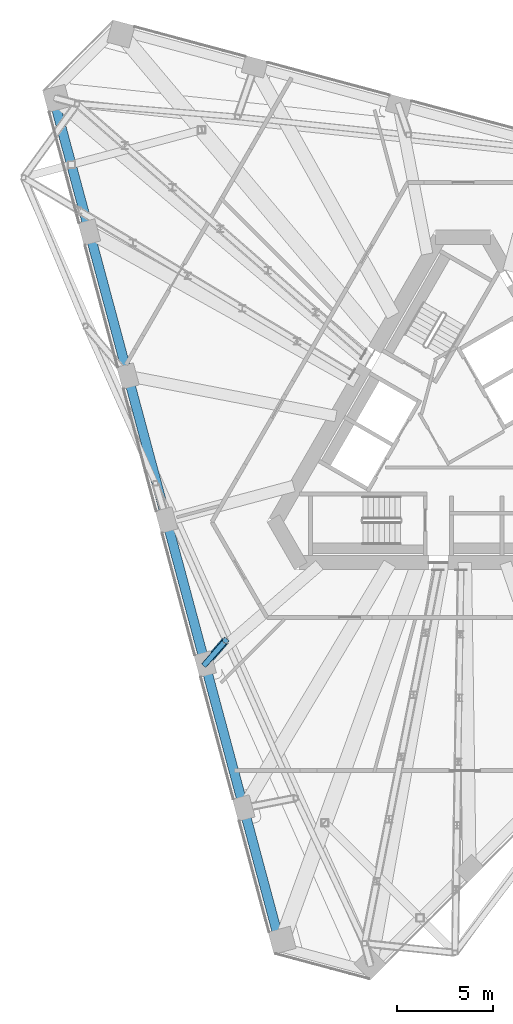
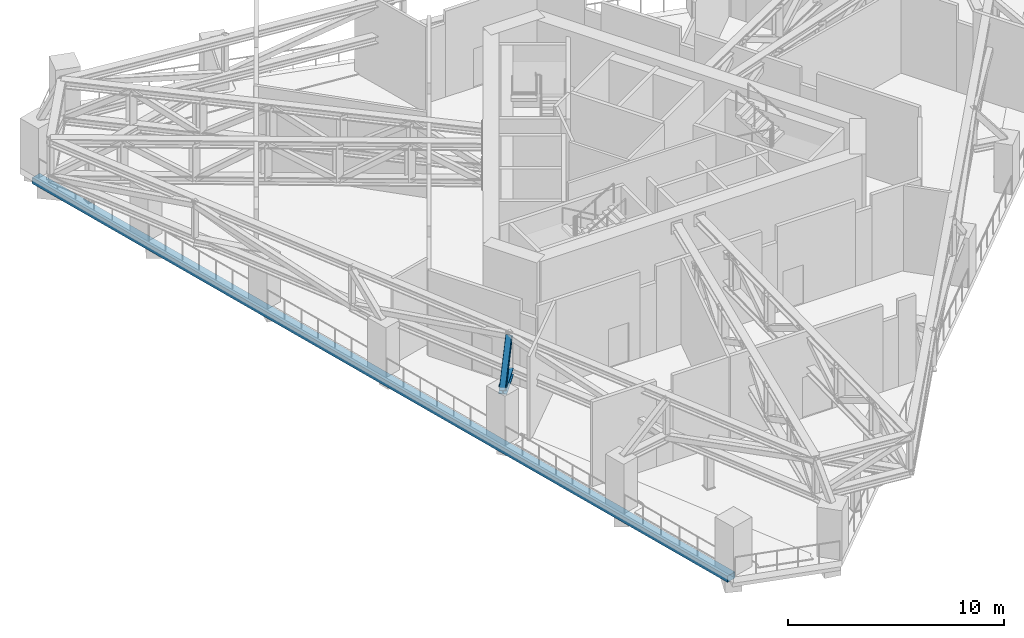
# One storey, part 3 of 22: 2 members, 1 beam.
"""IFC4 building model written with IfcOpenShell, lengths in metres."""

from ifc_helpers import new_model, si_unit, direction, frame, origin, origin_2d, place, context, subcontext, project, spatial, rectangle, hollow_rectangle, i_section, extrude, material, material_profile, profile_set, type_object, element, save


model = new_model("IFC4")

# Units and contexts
model_context = context("Model", 3, precision=1e-05, world=origin(), true_north=direction((0.0, 1.0)))
body_context = subcontext(model_context, "Body", "Model", "MODEL_VIEW")
ifc_project = project(units=[si_unit("LENGTHUNIT", "METRE"), si_unit("AREAUNIT", "SQUARE_METRE"), si_unit("VOLUMEUNIT", "CUBIC_METRE"), si_unit("PLANEANGLEUNIT", "RADIAN"), si_unit("MASSUNIT", "GRAM", prefix="KILO")], contexts=[model_context])

# Site, building, storey
site_placement = place(None, origin())
site = spatial("IfcSite", under=ifc_project, at=site_placement, CompositionType="ELEMENT")
building_placement = place(site_placement, origin())
building = spatial("IfcBuilding", under=site, at=building_placement, Name="Tramontana Tower", CompositionType="ELEMENT")
storey_placement = place(building_placement, frame((0.0, 0.0, 232.0)))
storey = spatial("IfcBuildingStorey", under=building, at=storey_placement, Name="L54", CompositionType="ELEMENT", Elevation=232.0)

# Beam
ifc_material_1 = material(Name="Concrete 40 MPa", Category="concrete")
ifc_material_profile_1 = material_profile(ifc_material_1, rectangle(XDim=0.5, YDim=0.35009765625, at=origin_2d()), Name="RC EDGE BEAM 500X350 40 MPa")
ifc_profile_set_1 = profile_set([ifc_material_profile_1], Name="Concrete 40 MPa")
beam_type = type_object("IfcBeamType", Name="RC EDGE BEAM 500X350 40 MPa", PredefinedType="SPANDREL", material=ifc_profile_set_1)
beam_placement = place(storey_placement, frame((-21.399658203125, 17.852294921875, -0.52490234375), z_axis=(0.25882000186, -0.965925569926, 0.0), x_axis=(0.965925569926, 0.25882000186, 0.0)))
element("IfcBeam", 1, at=beam_placement, inside=storey, type_object=beam_type, Name="Spandrel beam S0 L54", PredefinedType="SPANDREL", context=body_context, shape_type="SweptSolid", body=[
    extrude(rectangle(XDim=0.5, YDim=0.35009765625, at=origin_2d()), origin(), (0.0, 0.0, 1.0), 45.565185546875),
])

# Members
ifc_material_2 = material(Name="Steel ASTM A500 Grade C", Category="steel")
ifc_material_profile_2 = material_profile(ifc_material_2, hollow_rectangle(XDim=0.3046875, YDim=0.3046875, WallThickness=0.01171875, InnerFilletRadius=0.01171875, OuterFilletRadius=0.023681640625, at=origin_2d()), Name="HSS12X12X1/2")
ifc_profile_set_2 = profile_set([ifc_material_profile_2], Name="Steel ASTM A500 Grade C")
member_type_1 = type_object("IfcMemberType", Name="Transfer truss HSS12X12X1/2 brace", PredefinedType="BRACE", material=ifc_profile_set_2)
member_1_placement = place(storey_placement, frame((-13.48583984375, -11.6826171875, 2.603271484375), z_axis=(0.408563341047, 0.468907594533, 0.783071940591), x_axis=(-0.753954205931, 0.656926978711, 0.0)))
element("IfcMember", 2, at=member_1_placement, inside=storey, type_object=member_type_1, Name="Transfer truss strut C6F03 diagonal", PredefinedType="BRACE", context=body_context, shape_type="SweptSolid", body=[
    extrude(hollow_rectangle(XDim=0.3046875, YDim=0.3046875, WallThickness=0.01171875, InnerFilletRadius=0.01171875, OuterFilletRadius=0.023681640625, at=origin_2d()), origin(), (0.0, 0.0, 1.0), 2.609619140625),
])
ifc_material_3 = material(Name="Steel ASTM A992 Grade 50", Category="steel")
ifc_material_profile_3 = material_profile(ifc_material_3, i_section(OverallWidth=0.4033203125, OverallDepth=0.406494140625, WebThickness=0.027099609375, FlangeThickness=0.04443359375, FilletRadius=0.01513671875, at=origin_2d()), Name="W14X233")
ifc_profile_set_3 = profile_set([ifc_material_profile_3], Name="Steel ASTM A992 Grade 50")
member_type_2 = type_object("IfcMemberType", Name="Transfer truss W14X233 strut", PredefinedType="STRUT", material=ifc_profile_set_3)
member_2_placement = place(storey_placement, frame((-13.48583984375, -11.6826171875, 2.603271484375), z_axis=(0.656926978711, 0.753954205931, 0.0), x_axis=(-0.753954205931, 0.656926978711, 0.0)))
element("IfcMember", 3, at=member_2_placement, inside=storey, type_object=member_type_2, Name="Transfer truss strut C6F03 bottom", PredefinedType="STRUT", context=body_context, shape_type="SweptSolid", body=[
    extrude(i_section(OverallWidth=0.4033203125, OverallDepth=0.406494140625, WebThickness=0.027099609375, FlangeThickness=0.04443359375, FilletRadius=0.01513671875, at=origin_2d()), origin(), (0.0, 0.0, 1.0), 1.623046875),
])

save(model, "model.ifc")
